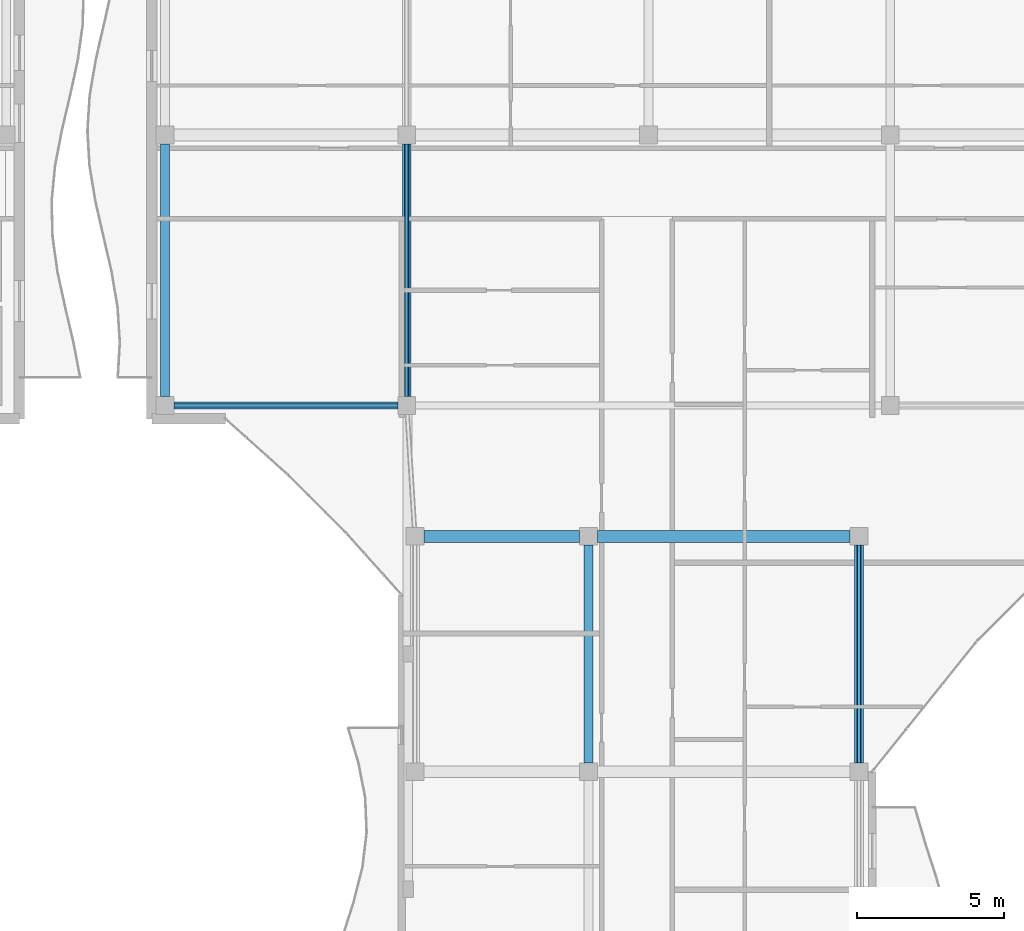
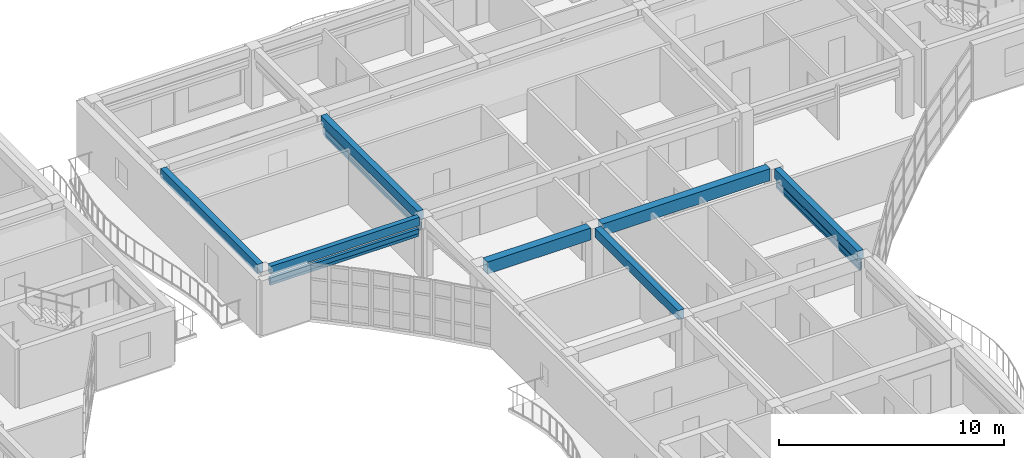
# One storey, part 12 of 79: 7 beams, 6 members.
"""IFC4 building model written with IfcOpenShell, lengths in metres."""

from ifc_helpers import new_model, si_unit, direction, frame, origin, origin_2d, place, context, subcontext, project, spatial, rectangle, hollow_rectangle, extrude, material, material_profile, profile_set, type_object, element, save


model = new_model("IFC4")

# Units and contexts
model_context = context("Model", 3, precision=1e-05, world=origin(), true_north=direction((0.0, 1.0)))
body_context = subcontext(model_context, "Body", "Model", "MODEL_VIEW")
ifc_project = project(units=[si_unit("LENGTHUNIT", "METRE"), si_unit("AREAUNIT", "SQUARE_METRE"), si_unit("VOLUMEUNIT", "CUBIC_METRE"), si_unit("PLANEANGLEUNIT", "RADIAN"), si_unit("MASSUNIT", "GRAM", prefix="KILO")], contexts=[model_context])

# Site, building, storey
site_placement = place(None, origin())
site = spatial("IfcSite", under=ifc_project, at=site_placement, CompositionType="ELEMENT")
building_placement = place(site_placement, origin())
building = spatial("IfcBuilding", under=site, at=building_placement, Name="Keldmere Railside Commons", CompositionType="ELEMENT")
storey_placement = place(building_placement, frame((0.0, 0.0, 10.56005859375)))
storey = spatial("IfcBuildingStorey", under=building, at=storey_placement, Name="L03", CompositionType="ELEMENT", Elevation=10.56005859375)

# Members
ifc_material_1 = material(Name="Steel F-36 (S355)", Category="steel")
ifc_material_profile_1 = material_profile(ifc_material_1, hollow_rectangle(XDim=0.14990234375, YDim=0.25, WallThickness=0.010009765625, at=origin_2d()), Name="RHS-250x150x10")
ifc_profile_set_1 = profile_set([ifc_material_profile_1], Name="Steel F-36 (S355)")
member_type_1 = type_object("IfcMemberType", Name="Balcony Continuous Planted Trough RHS250x150", PredefinedType="CHORD", material=ifc_profile_set_1)
member_1_placement = place(storey_placement, frame((40.25, 100.449951171875, 2.4150390625), z_axis=(1.0, 0.0, 0.0), x_axis=(0.0, 1.0, 0.0)))
element("IfcMember", 1, at=member_1_placement, inside=storey, type_object=member_type_1, Name="PLT-1 MEM-BPLT-0365", PredefinedType="CHORD", context=body_context, shape_type="SweptSolid", body=[
    extrude(hollow_rectangle(XDim=0.14990234375, YDim=0.25, WallThickness=0.010009765625, at=origin_2d()), origin(), (0.0, 0.0, 1.0), 7.6201171875),
])
member_2_placement = place(storey_placement, frame((48.169921875, 100.75, 2.4150390625), z_axis=(0.0, 1.0, 0.0), x_axis=(-1.0, 0.0, 0.0)))
element("IfcMember", 2, at=member_2_placement, inside=storey, type_object=member_type_1, Name="PLT-1 MEM-BPLT-0375", PredefinedType="CHORD", context=body_context, shape_type="SweptSolid", body=[
    extrude(hollow_rectangle(XDim=0.14990234375, YDim=0.25, WallThickness=0.010009765625, at=origin_2d()), origin(), (0.0, 0.0, 1.0), 8.60009765625),
])
member_3_placement = place(storey_placement, frame((63.550048828125, 88.300048828125, 2.4150390625), z_axis=(0.0, 1.0, 0.0), x_axis=(-1.0, 0.0, 0.0)))
element("IfcMember", 3, at=member_3_placement, inside=storey, type_object=member_type_1, Name="PLT-1 MEM-BPLT-0387", PredefinedType="CHORD", context=body_context, shape_type="SweptSolid", body=[
    extrude(hollow_rectangle(XDim=0.14990234375, YDim=0.25, WallThickness=0.010009765625, at=origin_2d()), origin(), (0.0, 0.0, 1.0), 7.39990234375),
])

# Beams
ifc_material_2 = material(Name="Architectural Precast Concrete H-35 (C35/45)", Category="concrete")
ifc_material_profile_2 = material_profile(ifc_material_2, rectangle(XDim=0.25, YDim=0.449951171875, at=origin_2d()), Name="RC-250x450")
ifc_profile_set_2 = profile_set([ifc_material_profile_2], Name="Architectural Precast Concrete H-35 (C35/45)")
beam_type_1 = type_object("IfcBeamType", Name="Perimeter Precast Spandrel Beam 250x450", PredefinedType="SPANDREL", material=ifc_profile_set_2)
beam_1_placement = place(storey_placement, frame((40.25, 100.449951171875, 2.974853515625), z_axis=(1.0, 0.0, 0.0), x_axis=(0.0, 1.0, 0.0)))
element("IfcBeam", 4, at=beam_1_placement, inside=storey, type_object=beam_type_1, Name="SPB-1 BM-L03-1370", PredefinedType="SPANDREL", context=body_context, shape_type="SweptSolid", body=[
    extrude(rectangle(XDim=0.25, YDim=0.449951171875, at=origin_2d()), origin(), (0.0, 0.0, 1.0), 7.6201171875),
])
ifc_material_3 = material(Name="Concrete H-30 (C30/37)", Category="concrete")
ifc_material_profile_3 = material_profile(ifc_material_3, rectangle(XDim=0.39990234375, YDim=0.64990234375, at=origin_2d()), Name="RC-400x650")
ifc_profile_set_3 = profile_set([ifc_material_profile_3], Name="Concrete H-30 (C30/37)")
beam_type_2 = type_object("IfcBeamType", Name="Residential Spine RC Girder 400x650", PredefinedType="BEAM", material=ifc_profile_set_3)
beam_2_placement = place(storey_placement, frame((48.75, 96.0, 2.875), z_axis=(1.0, 0.0, 0.0), x_axis=(0.0, 1.0, 0.0)))
element("IfcBeam", 5, at=beam_2_placement, inside=storey, type_object=beam_type_2, Name="BG-3 BM-L03-1363", PredefinedType="BEAM", context=body_context, shape_type="SweptSolid", body=[
    extrude(rectangle(XDim=0.39990234375, YDim=0.64990234375, at=origin_2d()), origin(), (0.0, 0.0, 1.0), 5.300048828125),
])
beam_3_placement = place(storey_placement, frame((54.64990234375, 96.0, 2.875), z_axis=(1.0, 0.0, 0.0), x_axis=(0.0, 1.0, 0.0)))
element("IfcBeam", 6, at=beam_3_placement, inside=storey, type_object=beam_type_2, Name="BG-3 BM-L03-1364", PredefinedType="BEAM", context=body_context, shape_type="SweptSolid", body=[
    extrude(rectangle(XDim=0.39990234375, YDim=0.64990234375, at=origin_2d()), origin(), (0.0, 0.0, 1.0), 8.60009765625),
])
ifc_material_profile_4 = material_profile(ifc_material_3, rectangle(XDim=0.300048828125, YDim=0.5, at=origin_2d()), Name="RC-300x500")
ifc_profile_set_4 = profile_set([ifc_material_profile_4], Name="Concrete H-30 (C30/37)")
beam_type_3 = type_object("IfcBeamType", Name="Secondary Frame RC Beam 300x500", PredefinedType="BEAM", material=ifc_profile_set_4)
for number, where, z_axis, x_axis, name in (
    (7, (39.949951171875, 100.75, 2.949951171875), (0.0, 1.0, 0.0), (-1.0, 0.0, 0.0), "BG-5 BM-L03-1437"),
    (8, (48.169921875, 100.75, 2.949951171875), (0.0, 1.0, 0.0), (-1.0, 0.0, 0.0), "BG-5 BM-L03-1441"),
):
    element("IfcBeam", number, at=place(storey_placement, frame(where, z_axis=z_axis, x_axis=x_axis)), inside=storey, type_object=beam_type_3, Name=name, PredefinedType="BEAM", context=body_context, shape_type="SweptSolid", body=[
        extrude(rectangle(XDim=0.300048828125, YDim=0.5, at=origin_2d()), origin(), (0.0, 0.0, 1.0), 8.60009765625),
    ])
for number, where, z_axis, x_axis, name in (
    (9, (54.35009765625, 88.300048828125, 2.949951171875), (0.0, 1.0, 0.0), (-1.0, 0.0, 0.0), "BG-5 BM-L03-1449"),
    (10, (63.550048828125, 88.300048828125, 2.949951171875), (0.0, 1.0, 0.0), (-1.0, 0.0, 0.0), "BG-5 BM-L03-1455"),
):
    element("IfcBeam", number, at=place(storey_placement, frame(where, z_axis=z_axis, x_axis=x_axis)), inside=storey, type_object=beam_type_3, Name=name, PredefinedType="BEAM", context=body_context, shape_type="SweptSolid", body=[
        extrude(rectangle(XDim=0.300048828125, YDim=0.5, at=origin_2d()), origin(), (0.0, 0.0, 1.0), 7.39990234375),
    ])

# Members
ifc_material_profile_5 = material_profile(ifc_material_1, hollow_rectangle(XDim=0.10009765625, YDim=0.159912109375, WallThickness=0.008056640625, at=origin_2d()), Name="RHS-160x100x8")
ifc_profile_set_5 = profile_set([ifc_material_profile_5], Name="Steel F-36 (S355)")
member_type_2 = type_object("IfcMemberType", Name="Solar Brise-Soleil Louvre Fin RHS160x100", PredefinedType="STRUT", material=ifc_profile_set_5)
member_4_placement = place(storey_placement, frame((40.25, 100.449951171875, 2.199951171875), z_axis=(1.0, 0.0, 0.0), x_axis=(0.0, 1.0, 0.0)))
element("IfcMember", 11, at=member_4_placement, inside=storey, type_object=member_type_2, Name="BSF-1 MEM-BSF-0366", PredefinedType="STRUT", context=body_context, shape_type="SweptSolid", body=[
    extrude(hollow_rectangle(XDim=0.10009765625, YDim=0.159912109375, WallThickness=0.008056640625, at=origin_2d()), origin(), (0.0, 0.0, 1.0), 7.6201171875),
])
member_5_placement = place(storey_placement, frame((48.169921875, 100.75, 2.199951171875), z_axis=(0.0, 1.0, 0.0), x_axis=(-1.0, 0.0, 0.0)))
element("IfcMember", 12, at=member_5_placement, inside=storey, type_object=member_type_2, Name="BSF-1 MEM-BSF-0376", PredefinedType="STRUT", context=body_context, shape_type="SweptSolid", body=[
    extrude(hollow_rectangle(XDim=0.10009765625, YDim=0.159912109375, WallThickness=0.008056640625, at=origin_2d()), origin(), (0.0, 0.0, 1.0), 8.60009765625),
])
member_6_placement = place(storey_placement, frame((63.550048828125, 88.300048828125, 2.199951171875), z_axis=(0.0, 1.0, 0.0), x_axis=(-1.0, 0.0, 0.0)))
element("IfcMember", 13, at=member_6_placement, inside=storey, type_object=member_type_2, Name="BSF-1 MEM-BSF-0388", PredefinedType="STRUT", context=body_context, shape_type="SweptSolid", body=[
    extrude(hollow_rectangle(XDim=0.10009765625, YDim=0.159912109375, WallThickness=0.008056640625, at=origin_2d()), origin(), (0.0, 0.0, 1.0), 7.39990234375),
])

save(model, "model.ifc")
